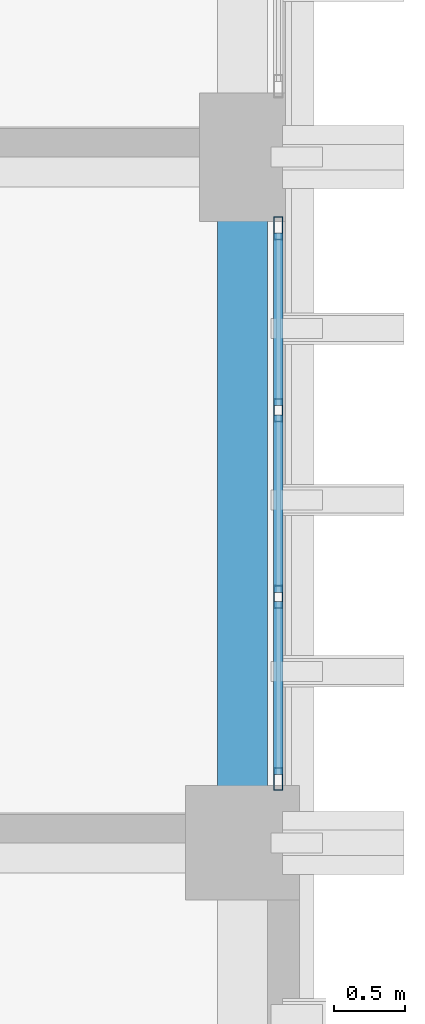
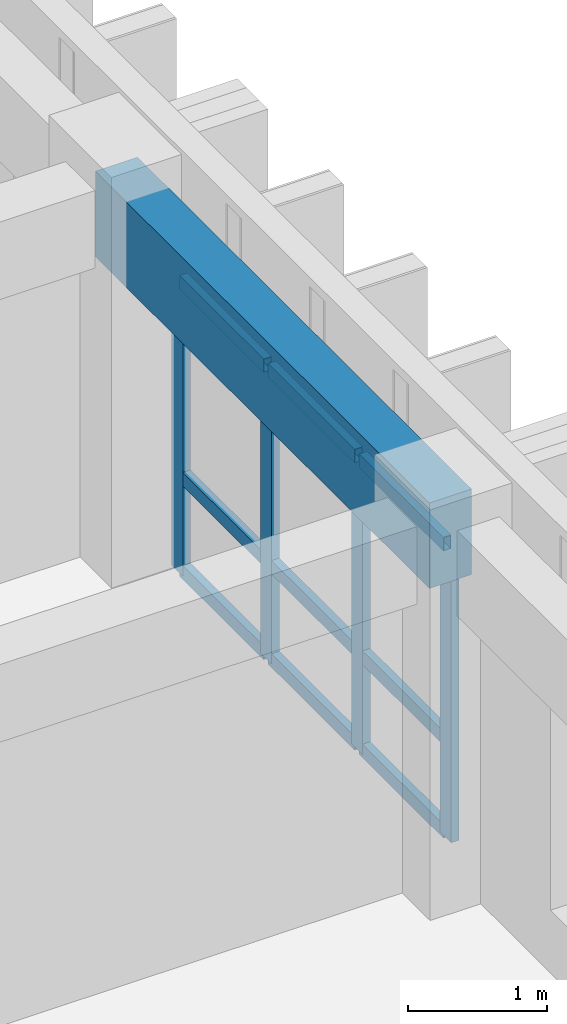
# One storey, part 33 of 82: 13 members, 1 beam, 1 element without a shape of its own.
"""IFC4 building model written with IfcOpenShell, lengths in metres."""

from ifc_helpers import new_model, si_unit, direction, frame, origin, origin_2d, place, context, subcontext, project, spatial, rectangle, hollow_rectangle, extrude, material, layer, layer_set, material_profile, profile_set, type_object, element, aggregate, save


model = new_model("IFC4")

# Units and contexts
model_context = context("Model", 3, precision=1e-05, world=origin(), true_north=direction((0.0, 1.0)))
body_context = subcontext(model_context, "Body", "Model", "MODEL_VIEW")
ifc_project = project(units=[si_unit("LENGTHUNIT", "METRE"), si_unit("AREAUNIT", "SQUARE_METRE"), si_unit("VOLUMEUNIT", "CUBIC_METRE"), si_unit("PLANEANGLEUNIT", "RADIAN"), si_unit("MASSUNIT", "GRAM", prefix="KILO")], contexts=[model_context])

# Site, building, storey
site_placement = place(None, origin())
site = spatial("IfcSite", under=ifc_project, at=site_placement, CompositionType="ELEMENT")
building_placement = place(site_placement, origin())
building = spatial("IfcBuilding", under=site, at=building_placement, Name="Nakhvara Creek Congress Hotel", CompositionType="ELEMENT")
storey_placement = place(building_placement, frame((0.0, 0.0, 21.0)))
storey = spatial("IfcBuildingStorey", under=building, at=storey_placement, Name="L04", CompositionType="ELEMENT", Elevation=21.0)

# Beam
ifc_material_1 = material(Name="Concrete C40/50", Category="concrete")
ifc_material_profile_1 = material_profile(ifc_material_1, rectangle(XDim=0.35009765625, YDim=0.75, at=origin_2d()), Name="RC-SPANDREL 350x750", Category="LoadBearing")
ifc_profile_set_1 = profile_set([ifc_material_profile_1], Name="Concrete C40/50")
beam_type = type_object("IfcBeamType", Name="BM-SPN-350X750", PredefinedType="SPANDREL", material=ifc_profile_set_1)
beam_placement = place(storey_placement, frame((179.35009765625, 76.800048828125, 2.965087890625), z_axis=(0.0, 1.0, 0.0), x_axis=(-1.0, 0.0, 0.0)))
element("IfcBeam", 1, at=beam_placement, inside=storey, type_object=beam_type, Name="Beam SP1-L04-2019", PredefinedType="SPANDREL", context=body_context, shape_type="SweptSolid", body=[
    extrude(rectangle(XDim=0.35009765625, YDim=0.75, at=origin_2d()), origin(), (0.0, 0.0, 1.0), 4.800048828125),
])

# Curtain wall, members
ifc_material_2 = material(Name="Bronze-anodised aluminium AW-6063-T6 and double-silver low-E glass", Category="aluminium")
ifc_layer = layer(ifc_material_2, 0.199951171875)
ifc_layer_set = layer_set([ifc_layer], Name="Bronze-anodised aluminium AW-6063-T6 and double-silver low-E glass")
curtain_wall_type = type_object("IfcCurtainWallType", Name="CW-HTL-UNIT", PredefinedType="USERDEFINED", material=ifc_layer_set)
curtain_wall_placement = place(storey_placement, origin())
curtain_wall = element("IfcCurtainWall", 2, at=curtain_wall_placement, inside=storey, type_object=curtain_wall_type, Name="Curtain Wall CW188", ObjectType="UNITISED", PredefinedType="USERDEFINED")
ifc_material_3 = material(Name="Bronze-anodised aluminium AW-6063-T6", Category="aluminium")
ifc_material_profile_2 = material_profile(ifc_material_3, hollow_rectangle(XDim=0.06494140625, YDim=0.159912109375, WallThickness=0.00390625, at=origin_2d()), Name="ALU-MULL 65x160x4", Category="LoadBearing")
ifc_profile_set_2 = profile_set([ifc_material_profile_2], Name="Bronze-anodised aluminium AW-6063-T6")
member_type_1 = type_object("IfcMemberType", Name="CW-MULL-160", PredefinedType="MULLION", material=ifc_profile_set_2)
member_1_placement = place(storey_placement, frame((179.60009765625, 81.1025390625, 0.0), z_axis=(0.0, 0.0, 1.0), x_axis=(1.0, 0.0, 0.0)))
member_1 = element("IfcMember", 3, at=member_1_placement, type_object=member_type_1, Name="CW188 mullion 1", PredefinedType="MULLION", context=body_context, shape_type="SweptSolid", body=[
    extrude(hollow_rectangle(XDim=0.06494140625, YDim=0.159912109375, WallThickness=0.00390625, at=origin_2d()), origin(), (0.0, 0.0, 1.0), 2.58203125),
])
member_2_placement = place(storey_placement, frame((179.60009765625, 79.828369140625, 0.0), z_axis=(0.0, 0.0, 1.0), x_axis=(1.0, 0.0, 0.0)))
member_2 = element("IfcMember", 4, at=member_2_placement, type_object=member_type_1, Name="CW188 mullion 2", PredefinedType="MULLION", context=body_context, shape_type="SweptSolid", body=[
    extrude(hollow_rectangle(XDim=0.06494140625, YDim=0.159912109375, WallThickness=0.00390625, at=origin_2d()), origin(), (0.0, 0.0, 1.0), 2.58203125),
])
member_3_placement = place(storey_placement, frame((179.60009765625, 78.521728515625, 0.0), z_axis=(0.0, 0.0, 1.0), x_axis=(1.0, 0.0, 0.0)))
member_3 = element("IfcMember", 5, at=member_3_placement, type_object=member_type_1, Name="CW188 mullion 3", PredefinedType="MULLION", context=body_context, shape_type="SweptSolid", body=[
    extrude(hollow_rectangle(XDim=0.06494140625, YDim=0.159912109375, WallThickness=0.00390625, at=origin_2d()), origin(), (0.0, 0.0, 1.0), 2.58203125),
])
member_4_placement = place(storey_placement, frame((179.60009765625, 77.24755859375, 0.0), z_axis=(0.0, 0.0, 1.0), x_axis=(1.0, 0.0, 0.0)))
member_4 = element("IfcMember", 6, at=member_4_placement, type_object=member_type_1, Name="CW188 mullion 4", PredefinedType="MULLION", context=body_context, shape_type="SweptSolid", body=[
    extrude(hollow_rectangle(XDim=0.06494140625, YDim=0.159912109375, WallThickness=0.00390625, at=origin_2d()), origin(), (0.0, 0.0, 1.0), 2.58203125),
])
ifc_material_profile_3 = material_profile(ifc_material_3, hollow_rectangle(XDim=0.06494140625, YDim=0.1201171875, WallThickness=0.00390625, at=origin_2d()), Name="ALU-TRAN 65x120x4", Category="LoadBearing")
ifc_profile_set_3 = profile_set([ifc_material_profile_3], Name="Bronze-anodised aluminium AW-6063-T6")
member_type_2 = type_object("IfcMemberType", Name="CW-TRAN-120", PredefinedType="USERDEFINED", material=ifc_profile_set_3)
member_5_placement = place(storey_placement, frame((179.60009765625, 81.070068359375, 0.032470703125), z_axis=(0.0, -1.0, 0.0), x_axis=(1.0, 0.0, 0.0)))
member_5 = element("IfcMember", 7, at=member_5_placement, type_object=member_type_2, Name="CW188 transom 1.1", ObjectType="TRANSOM", PredefinedType="USERDEFINED", context=body_context, shape_type="SweptSolid", body=[
    extrude(hollow_rectangle(XDim=0.06494140625, YDim=0.1201171875, WallThickness=0.00390625, at=origin_2d()), origin(), (0.0, 0.0, 1.0), 1.209228515625),
])
member_6_placement = place(storey_placement, frame((179.60009765625, 81.070068359375, 0.85009765625), z_axis=(0.0, -1.0, 0.0), x_axis=(1.0, 0.0, 0.0)))
member_6 = element("IfcMember", 8, at=member_6_placement, type_object=member_type_2, Name="CW188 transom 1.2", ObjectType="TRANSOM", PredefinedType="USERDEFINED", context=body_context, shape_type="SweptSolid", body=[
    extrude(hollow_rectangle(XDim=0.06494140625, YDim=0.1201171875, WallThickness=0.00390625, at=origin_2d()), origin(), (0.0, 0.0, 1.0), 1.209228515625),
])
member_7_placement = place(storey_placement, frame((179.60009765625, 81.070068359375, 2.549560546875), z_axis=(0.0, -1.0, 0.0), x_axis=(1.0, 0.0, 0.0)))
member_7 = element("IfcMember", 9, at=member_7_placement, type_object=member_type_2, Name="CW188 transom 1.3", ObjectType="TRANSOM", PredefinedType="USERDEFINED", context=body_context, shape_type="SweptSolid", body=[
    extrude(hollow_rectangle(XDim=0.06494140625, YDim=0.1201171875, WallThickness=0.00390625, at=origin_2d()), origin(), (0.0, 0.0, 1.0), 1.209228515625),
])
member_8_placement = place(storey_placement, frame((179.60009765625, 79.7958984375, 0.032470703125), z_axis=(0.0, -1.0, 0.0), x_axis=(1.0, 0.0, 0.0)))
member_8 = element("IfcMember", 10, at=member_8_placement, type_object=member_type_2, Name="CW188 transom 2.1", ObjectType="TRANSOM", PredefinedType="USERDEFINED", context=body_context, shape_type="SweptSolid", body=[
    extrude(hollow_rectangle(XDim=0.06494140625, YDim=0.1201171875, WallThickness=0.00390625, at=origin_2d()), origin(), (0.0, 0.0, 1.0), 1.24169921875),
])
member_9_placement = place(storey_placement, frame((179.60009765625, 79.7958984375, 0.85009765625), z_axis=(0.0, -1.0, 0.0), x_axis=(1.0, 0.0, 0.0)))
member_9 = element("IfcMember", 11, at=member_9_placement, type_object=member_type_2, Name="CW188 transom 2.2", ObjectType="TRANSOM", PredefinedType="USERDEFINED", context=body_context, shape_type="SweptSolid", body=[
    extrude(hollow_rectangle(XDim=0.06494140625, YDim=0.1201171875, WallThickness=0.00390625, at=origin_2d()), origin(), (0.0, 0.0, 1.0), 1.24169921875),
])
member_10_placement = place(storey_placement, frame((179.60009765625, 79.7958984375, 2.549560546875), z_axis=(0.0, -1.0, 0.0), x_axis=(1.0, 0.0, 0.0)))
member_10 = element("IfcMember", 12, at=member_10_placement, type_object=member_type_2, Name="CW188 transom 2.3", ObjectType="TRANSOM", PredefinedType="USERDEFINED", context=body_context, shape_type="SweptSolid", body=[
    extrude(hollow_rectangle(XDim=0.06494140625, YDim=0.1201171875, WallThickness=0.00390625, at=origin_2d()), origin(), (0.0, 0.0, 1.0), 1.24169921875),
])
member_11_placement = place(storey_placement, frame((179.60009765625, 78.4892578125, 0.032470703125), z_axis=(0.0, -1.0, 0.0), x_axis=(1.0, 0.0, 0.0)))
member_11 = element("IfcMember", 13, at=member_11_placement, type_object=member_type_2, Name="CW188 transom 3.1", ObjectType="TRANSOM", PredefinedType="USERDEFINED", context=body_context, shape_type="SweptSolid", body=[
    extrude(hollow_rectangle(XDim=0.06494140625, YDim=0.1201171875, WallThickness=0.00390625, at=origin_2d()), origin(), (0.0, 0.0, 1.0), 1.209228515625),
])
member_12_placement = place(storey_placement, frame((179.60009765625, 78.4892578125, 0.85009765625), z_axis=(0.0, -1.0, 0.0), x_axis=(1.0, 0.0, 0.0)))
member_12 = element("IfcMember", 14, at=member_12_placement, type_object=member_type_2, Name="CW188 transom 3.2", ObjectType="TRANSOM", PredefinedType="USERDEFINED", context=body_context, shape_type="SweptSolid", body=[
    extrude(hollow_rectangle(XDim=0.06494140625, YDim=0.1201171875, WallThickness=0.00390625, at=origin_2d()), origin(), (0.0, 0.0, 1.0), 1.209228515625),
])
member_13_placement = place(storey_placement, frame((179.60009765625, 78.4892578125, 2.549560546875), z_axis=(0.0, -1.0, 0.0), x_axis=(1.0, 0.0, 0.0)))
member_13 = element("IfcMember", 15, at=member_13_placement, type_object=member_type_2, Name="CW188 transom 3.3", ObjectType="TRANSOM", PredefinedType="USERDEFINED", context=body_context, shape_type="SweptSolid", body=[
    extrude(hollow_rectangle(XDim=0.06494140625, YDim=0.1201171875, WallThickness=0.00390625, at=origin_2d()), origin(), (0.0, 0.0, 1.0), 1.209228515625),
])
aggregate(curtain_wall, [member_1, member_2, member_3, member_4, member_5, member_6, member_7, member_8, member_9, member_10, member_11, member_12, member_13])

save(model, "model.ifc")
